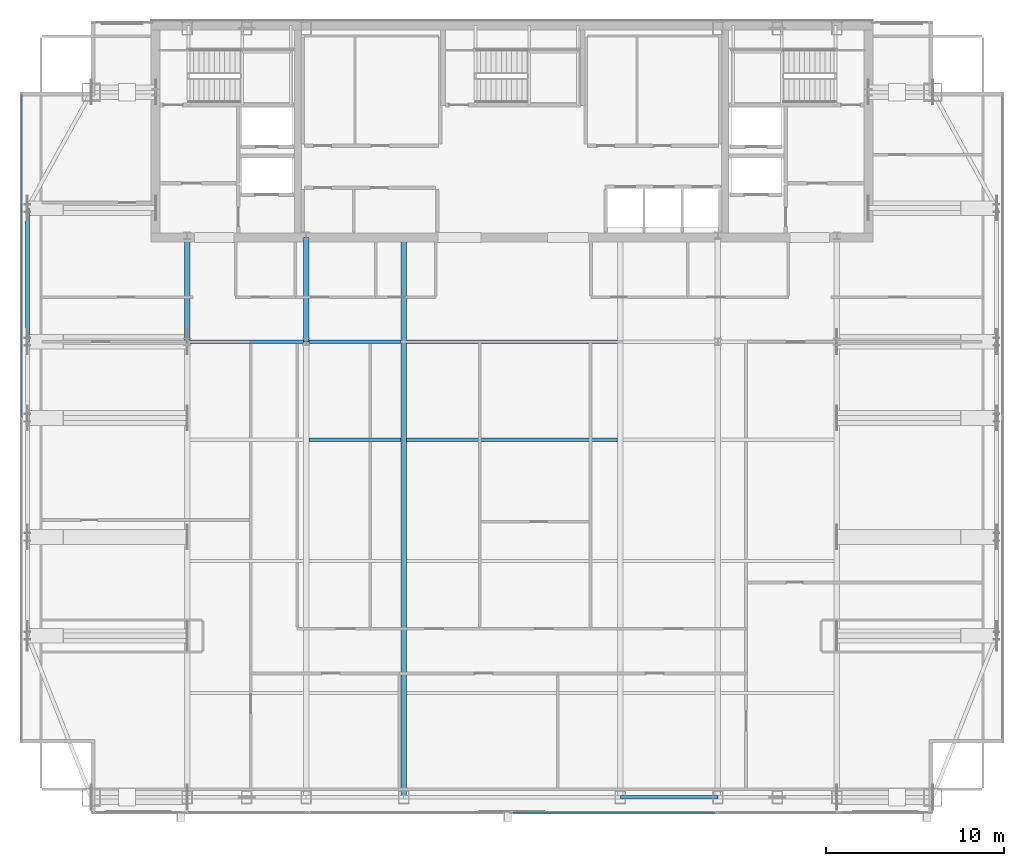
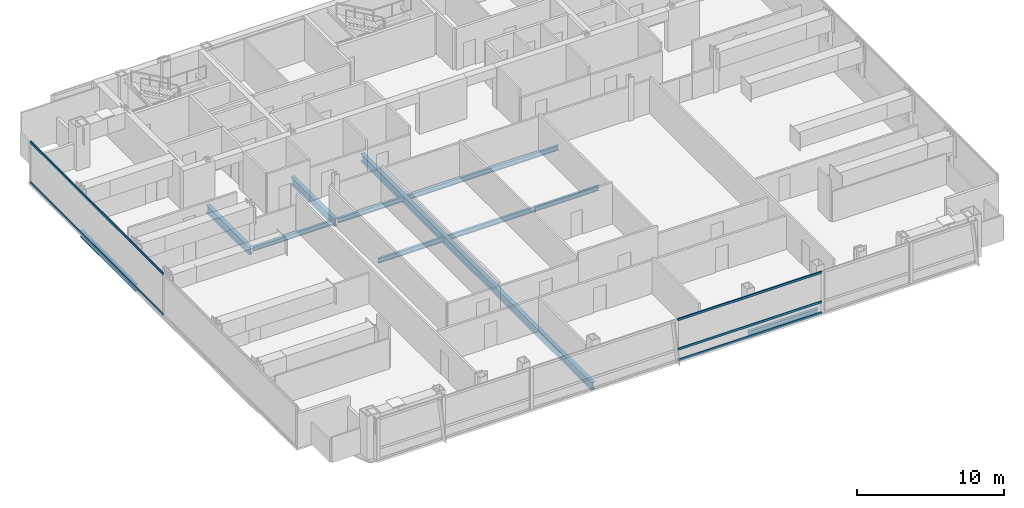
# One storey, part 10 of 26: 10 beams, 5 members, 2 elements without a shape of their own.
"""IFC4 building model written with IfcOpenShell, lengths in metres."""

from ifc_helpers import new_model, si_unit, direction, frame, origin, origin_2d, place, context, subcontext, project, spatial, hollow_rectangle, i_section, extrude, material, material_profile, profile_set, type_object, element, aggregate, save


model = new_model("IFC4")

# Units and contexts
model_context = context("Model", 3, precision=1e-05, world=origin(), true_north=direction((0.0, 1.0)))
body_context = subcontext(model_context, "Body", "Model", "MODEL_VIEW")
ifc_project = project(units=[si_unit("LENGTHUNIT", "METRE"), si_unit("AREAUNIT", "SQUARE_METRE"), si_unit("VOLUMEUNIT", "CUBIC_METRE"), si_unit("PLANEANGLEUNIT", "RADIAN"), si_unit("MASSUNIT", "GRAM", prefix="KILO")], contexts=[model_context])

# Site, building, storey
site_placement = place(None, origin())
site = spatial("IfcSite", under=ifc_project, at=site_placement, CompositionType="ELEMENT")
building_placement = place(site_placement, origin())
building = spatial("IfcBuilding", under=site, at=building_placement, Name="Khoronbel Lancet Exchange", CompositionType="ELEMENT")
storey_placement = place(building_placement, frame((0.0, 0.0, 287.800048828125)))
storey = spatial("IfcBuildingStorey", under=building, at=storey_placement, Name="L74", CompositionType="ELEMENT", Elevation=287.800048828125)

# Beams
ifc_material_1 = material(Name="Steel S355", Category="steel")
ifc_material_profile_1 = material_profile(ifc_material_1, i_section(OverallWidth=0.300048828125, OverallDepth=0.64990234375, WebThickness=0.01611328125, FlangeThickness=0.031005859375, at=origin_2d()), Name="HEB 650")
ifc_profile_set_1 = profile_set([ifc_material_profile_1], Name="Steel S355")
beam_type_1 = type_object("IfcBeamType", Name="BM-BG4", PredefinedType="BEAM", material=ifc_profile_set_1)
for number, where, z_axis, x_axis, name in (
    (1, (18.22509765625, 35.699951171875, -0.485107421875), (0.0, 1.0, 0.0), (-1.0, 0.0, 0.0), "Level L74 spine tie girder GN1"),
    (2, (24.89990234375, 35.699951171875, -0.485107421875), (0.0, 1.0, 0.0), (-1.0, 0.0, 0.0), "Level L74 spine tie girder GN2"),
):
    element("IfcBeam", number, at=place(storey_placement, frame(where, z_axis=z_axis, x_axis=x_axis)), inside=storey, type_object=beam_type_1, Name=name, PredefinedType="BEAM", context=body_context, shape_type="SweptSolid", body=[
        extrude(i_section(OverallWidth=0.300048828125, OverallDepth=0.64990234375, WebThickness=0.01611328125, FlangeThickness=0.031005859375, at=origin_2d()), origin(), (0.0, 0.0, 1.0), 5.85009765625),
    ])
beam_1_placement = place(storey_placement, frame((30.375, 10.14990234375, -0.485107421875), z_axis=(0.0, 1.0, 0.0), x_axis=(-1.0, 0.0, 0.0)))
element("IfcBeam", 3, at=beam_1_placement, inside=storey, type_object=beam_type_1, Name="Level L74 primary floor girder G3", PredefinedType="BEAM", context=body_context, shape_type="SweptSolid", body=[
    extrude(i_section(OverallWidth=0.300048828125, OverallDepth=0.64990234375, WebThickness=0.01611328125, FlangeThickness=0.031005859375, at=origin_2d()), origin(), (0.0, 0.0, 1.0), 31.400146484375),
])
ifc_material_profile_2 = material_profile(ifc_material_1, i_section(OverallWidth=0.179931640625, OverallDepth=0.39990234375, WebThickness=0.008544921875, FlangeThickness=0.013427734375, at=origin_2d()), Name="IPE 400")
ifc_profile_set_2 = profile_set([ifc_material_profile_2], Name="Steel S355")
beam_type_2 = type_object("IfcBeamType", Name="BM-BJ5", PredefinedType="JOIST", material=ifc_profile_set_2)
beam_2_placement = place(storey_placement, frame((25.050048828125, 30.199951171875, -0.360107421875), z_axis=(1.0, 0.0, 0.0), x_axis=(0.0, 1.0, 0.0)))
element("IfcBeam", 4, at=beam_2_placement, inside=storey, type_object=beam_type_2, Name="Level L74 secondary composite joist J12", PredefinedType="JOIST", context=body_context, shape_type="SweptSolid", body=[
    extrude(i_section(OverallWidth=0.179931640625, OverallDepth=0.39990234375, WebThickness=0.008544921875, FlangeThickness=0.013427734375, at=origin_2d()), origin(), (0.0, 0.0, 1.0), 5.175048828125),
])
beam_3_placement = place(storey_placement, frame((30.52490234375, 30.199951171875, -0.360107421875), z_axis=(1.0, 0.0, 0.0), x_axis=(0.0, 1.0, 0.0)))
element("IfcBeam", 5, at=beam_3_placement, inside=storey, type_object=beam_type_2, Name="Level L74 secondary composite joist J13", PredefinedType="JOIST", context=body_context, shape_type="SweptSolid", body=[
    extrude(i_section(OverallWidth=0.179931640625, OverallDepth=0.39990234375, WebThickness=0.008544921875, FlangeThickness=0.013427734375, at=origin_2d()), origin(), (0.0, 0.0, 1.0), 11.85009765625),
])
beam_4_placement = place(storey_placement, frame((18.375, 35.699951171875, -0.360107421875), z_axis=(1.0, 0.0, 0.0), x_axis=(0.0, 1.0, 0.0)))
element("IfcBeam", 6, at=beam_4_placement, inside=storey, type_object=beam_type_2, Name="Level L74 secondary composite joist J16", PredefinedType="JOIST", context=body_context, shape_type="SweptSolid", body=[
    extrude(i_section(OverallWidth=0.179931640625, OverallDepth=0.39990234375, WebThickness=0.008544921875, FlangeThickness=0.013427734375, at=origin_2d()), origin(), (0.0, 0.0, 1.0), 6.375),
])
beam_5_placement = place(storey_placement, frame((25.050048828125, 35.699951171875, -0.360107421875), z_axis=(1.0, 0.0, 0.0), x_axis=(0.0, 1.0, 0.0)))
element("IfcBeam", 7, at=beam_5_placement, inside=storey, type_object=beam_type_2, Name="Level L74 secondary composite joist J17", PredefinedType="JOIST", context=body_context, shape_type="SweptSolid", body=[
    extrude(i_section(OverallWidth=0.179931640625, OverallDepth=0.39990234375, WebThickness=0.008544921875, FlangeThickness=0.013427734375, at=origin_2d()), origin(), (0.0, 0.0, 1.0), 5.175048828125),
])
beam_6_placement = place(storey_placement, frame((30.52490234375, 35.699951171875, -0.360107421875), z_axis=(1.0, 0.0, 0.0), x_axis=(0.0, 1.0, 0.0)))
element("IfcBeam", 8, at=beam_6_placement, inside=storey, type_object=beam_type_2, Name="Level L74 secondary composite joist J18", PredefinedType="JOIST", context=body_context, shape_type="SweptSolid", body=[
    extrude(i_section(OverallWidth=0.179931640625, OverallDepth=0.39990234375, WebThickness=0.008544921875, FlangeThickness=0.013427734375, at=origin_2d()), origin(), (0.0, 0.0, 1.0), 11.85009765625),
])
ifc_material_profile_3 = material_profile(ifc_material_1, i_section(OverallWidth=0.2099609375, OverallDepth=0.550048828125, WebThickness=0.010986328125, FlangeThickness=0.01708984375, at=origin_2d()), Name="IPE 550")
ifc_profile_set_3 = profile_set([ifc_material_profile_3], Name="Steel S355")
beam_type_3 = type_object("IfcBeamType", Name="BM-BSP3", PredefinedType="SPANDREL", material=ifc_profile_set_3)
beam_7_placement = place(storey_placement, frame((42.52490234375, 10.14990234375, -0.43505859375), z_axis=(1.0, 0.0, 0.0), x_axis=(0.0, 1.0, 0.0)))
element("IfcBeam", 9, at=beam_7_placement, inside=storey, type_object=beam_type_3, Name="Level L74 perimeter spandrel beam SP06", PredefinedType="SPANDREL", context=body_context, shape_type="SweptSolid", body=[
    extrude(i_section(OverallWidth=0.2099609375, OverallDepth=0.550048828125, WebThickness=0.010986328125, FlangeThickness=0.01708984375, at=origin_2d()), origin(), (0.0, 0.0, 1.0), 5.47509765625),
])
beam_8_placement = place(storey_placement, frame((9.27001953125, 43.199951171875, -0.43505859375), z_axis=(0.0, -1.0, 0.0), x_axis=(1.0, 0.0, 0.0)))
element("IfcBeam", 10, at=beam_8_placement, inside=storey, type_object=beam_type_3, Name="Level L74 perimeter spandrel beam SP17", PredefinedType="SPANDREL", context=body_context, shape_type="SweptSolid", body=[
    extrude(i_section(OverallWidth=0.2099609375, OverallDepth=0.550048828125, WebThickness=0.010986328125, FlangeThickness=0.01708984375, at=origin_2d()), origin(), (0.0, 0.0, 1.0), 7.5),
])

# Curtain wall, members
ifc_material_2 = material(Name="Low-E Solar Control Insulating Glass", Category="glass")
curtain_wall_type_1 = type_object("IfcCurtainWallType", Name="CW-4", PredefinedType="NOTDEFINED", material=ifc_material_2)
curtain_wall_1_placement = place(storey_placement, origin())
curtain_wall_1 = element("IfcCurtainWall", 11, at=curtain_wall_1_placement, inside=storey, type_object=curtain_wall_type_1, Name="Unitised curtain wall CW-L74-E03", PredefinedType="NOTDEFINED")
ifc_material_3 = material(Name="Bronze-Anodised Aluminium 6063-T6", Category="aluminium")
ifc_material_profile_4 = material_profile(ifc_material_3, hollow_rectangle(XDim=0.0849609375, YDim=0.179931640625, WallThickness=0.0048828125, at=origin_2d()), Name="ALU TRANSOM 85x180")
ifc_profile_set_4 = profile_set([ifc_material_profile_4], Name="Bronze-Anodised Aluminium 6063-T6")
member_type = type_object("IfcMemberType", Name="MEM-CWT1", PredefinedType="USERDEFINED", material=ifc_profile_set_4)
member_1_placement = place(storey_placement, frame((8.93994140625, 31.487548828125, 0.04248046875), z_axis=(0.0, 1.0, 0.0), x_axis=(-1.0, 0.0, 0.0)))
member_1 = element("IfcMember", 12, at=member_1_placement, type_object=member_type, Name="CW4 transom 2.1", ObjectType="TRANSOM", PredefinedType="USERDEFINED", context=body_context, shape_type="SweptSolid", body=[
    extrude(hollow_rectangle(XDim=0.0849609375, YDim=0.179931640625, WallThickness=0.0048828125, at=origin_2d()), origin(), (0.0, 0.0, 1.0), 18.04736328125),
])
member_2_placement = place(storey_placement, frame((8.93994140625, 31.487548828125, 3.3974609375), z_axis=(0.0, 1.0, 0.0), x_axis=(-1.0, 0.0, 0.0)))
member_2 = element("IfcMember", 13, at=member_2_placement, type_object=member_type, Name="CW4 transom 2.2", ObjectType="TRANSOM", PredefinedType="USERDEFINED", context=body_context, shape_type="SweptSolid", body=[
    extrude(hollow_rectangle(XDim=0.0849609375, YDim=0.179931640625, WallThickness=0.0048828125, at=origin_2d()), origin(), (0.0, 0.0, 1.0), 18.04736328125),
])
aggregate(curtain_wall_1, [member_1, member_2])

curtain_wall_type_2 = type_object("IfcCurtainWallType", Name="CW-3", PredefinedType="NOTDEFINED", material=ifc_material_2)
curtain_wall_2_placement = place(storey_placement, origin())
curtain_wall_2 = element("IfcCurtainWall", 14, at=curtain_wall_2_placement, inside=storey, type_object=curtain_wall_type_2, Name="Unitised curtain wall CW-L74-SCV", PredefinedType="NOTDEFINED")
member_3_placement = place(storey_placement, frame((36.492431640625, 9.2900390625, 0.04248046875), z_axis=(1.0, 0.0, 0.0), x_axis=(0.0, 1.0, 0.0)))
member_3 = element("IfcMember", 15, at=member_3_placement, type_object=member_type, Name="CW3 transom 2.1", ObjectType="TRANSOM", PredefinedType="USERDEFINED", context=body_context, shape_type="SweptSolid", body=[
    extrude(hollow_rectangle(XDim=0.0849609375, YDim=0.179931640625, WallThickness=0.0048828125, at=origin_2d()), origin(), (0.0, 0.0, 1.0), 11.322509765625),
])
member_4_placement = place(storey_placement, frame((36.492431640625, 9.2900390625, 0.949951171875), z_axis=(1.0, 0.0, 0.0), x_axis=(0.0, 1.0, 0.0)))
member_4 = element("IfcMember", 16, at=member_4_placement, type_object=member_type, Name="CW3 transom 2.2", ObjectType="TRANSOM", PredefinedType="USERDEFINED", context=body_context, shape_type="SweptSolid", body=[
    extrude(hollow_rectangle(XDim=0.0849609375, YDim=0.179931640625, WallThickness=0.0048828125, at=origin_2d()), origin(), (0.0, 0.0, 1.0), 11.322509765625),
])
member_5_placement = place(storey_placement, frame((36.492431640625, 9.2900390625, 3.3974609375), z_axis=(1.0, 0.0, 0.0), x_axis=(0.0, 1.0, 0.0)))
member_5 = element("IfcMember", 17, at=member_5_placement, type_object=member_type, Name="CW3 transom 2.3", ObjectType="TRANSOM", PredefinedType="USERDEFINED", context=body_context, shape_type="SweptSolid", body=[
    extrude(hollow_rectangle(XDim=0.0849609375, YDim=0.179931640625, WallThickness=0.0048828125, at=origin_2d()), origin(), (0.0, 0.0, 1.0), 11.322509765625),
])
aggregate(curtain_wall_2, [member_3, member_4, member_5])

save(model, "model.ifc")
